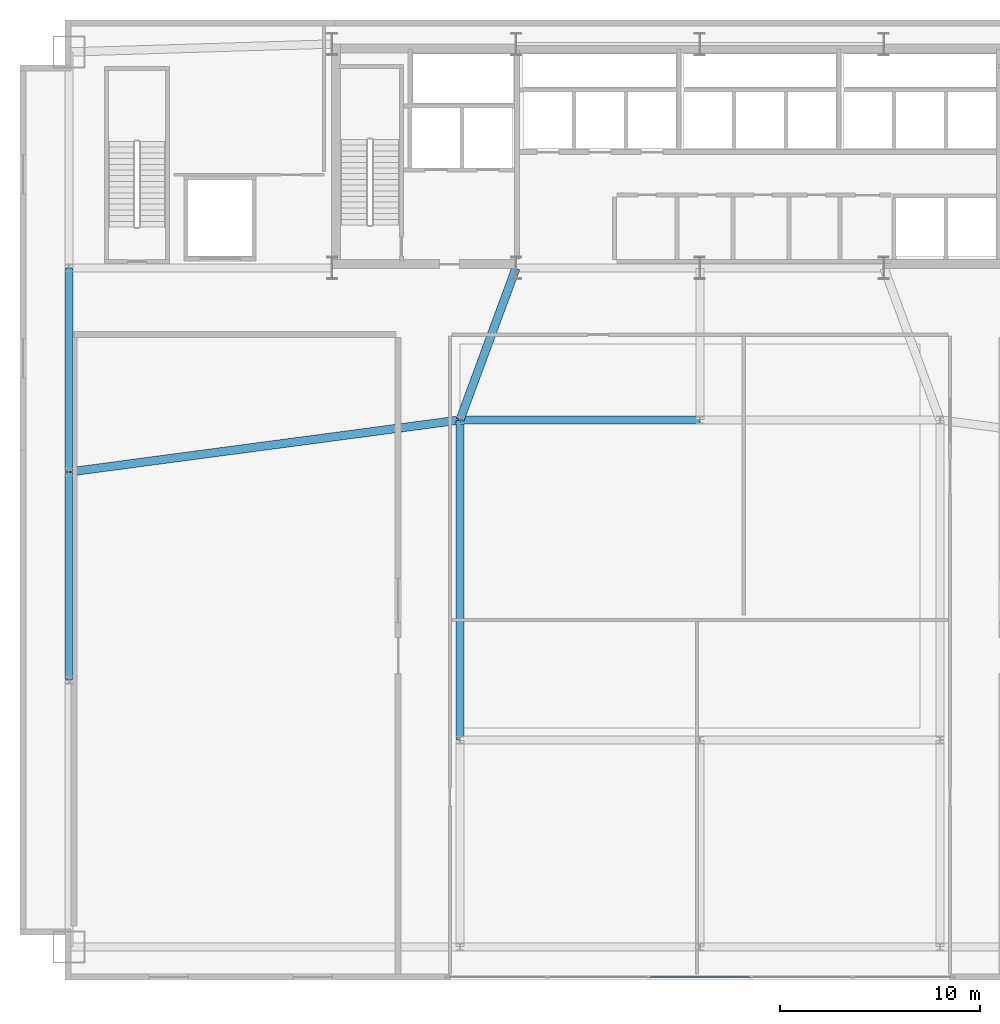
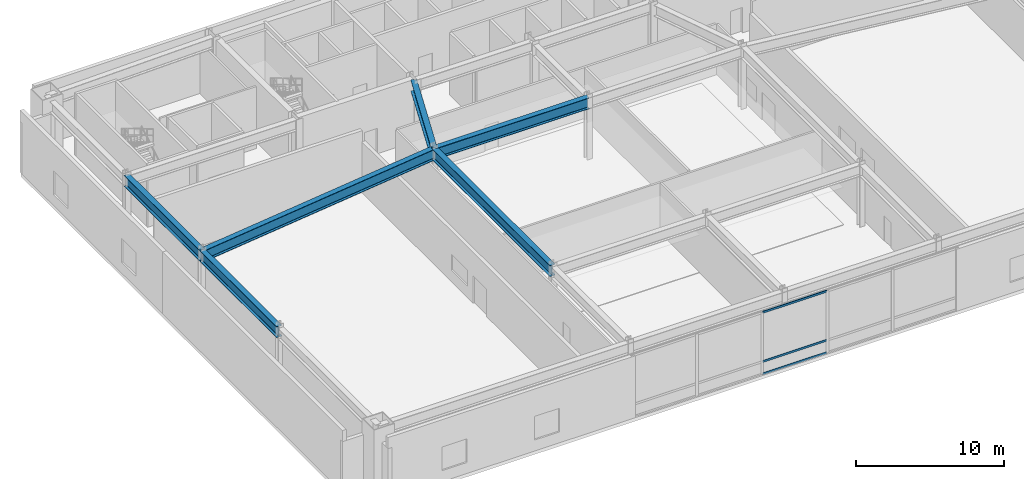
# One storey, part 5 of 12: 6 beams, 3 members, 1 element without a shape of its own.
"""IFC4 building model written with IfcOpenShell, lengths in metres."""

from ifc_helpers import new_model, si_unit, direction, frame, origin, origin_2d, place, context, subcontext, project, spatial, hollow_rectangle, i_section, extrude, source, transform, mapped, material, layer, layer_set, material_profile, profile_set, type_object, type_shapes, element, aggregate, save


model = new_model("IFC4")

# Units and contexts
model_context = context("Model", 3, precision=1e-05, world=origin(), true_north=direction((0.0, 1.0)))
body_context = subcontext(model_context, "Body", "Model", "MODEL_VIEW")
ifc_project = project(units=[si_unit("LENGTHUNIT", "METRE"), si_unit("AREAUNIT", "SQUARE_METRE"), si_unit("VOLUMEUNIT", "CUBIC_METRE"), si_unit("PLANEANGLEUNIT", "RADIAN"), si_unit("MASSUNIT", "GRAM", prefix="KILO")], contexts=[model_context])

# Site, building, storey
site_placement = place(None, origin())
site = spatial("IfcSite", under=ifc_project, at=site_placement, CompositionType="ELEMENT")
building_placement = place(site_placement, origin())
building = spatial("IfcBuilding", under=site, at=building_placement, Name="Varnel Quay Broadcast Tower", CompositionType="ELEMENT")
storey_placement = place(building_placement, frame((0.0, 0.0, 11.39990234375)))
storey = spatial("IfcBuildingStorey", under=building, at=storey_placement, Name="L02", CompositionType="ELEMENT", Elevation=11.39990234375)

# Beams
ifc_material_1 = material(Name="Structural Steel CSA G40.21 350W", Category="steel")
ifc_material_profile_1 = material_profile(ifc_material_1, i_section(OverallWidth=0.41796875, OverallDepth=0.912109375, WebThickness=0.019287109375, FlangeThickness=0.031982421875, FilletRadius=0.02197265625, at=origin_2d()), Name="W920X342")
ifc_profile_set_1 = profile_set([ifc_material_profile_1], Name="Structural Steel CSA G40.21 350W")
beam_type = type_object("IfcBeamType", Name="Girder_W920X342", PredefinedType="BEAM", material=ifc_profile_set_1)
shared_shape_1 = source(origin(), body_context, "Body", "SweptSolid", [
    extrude(i_section(OverallWidth=0.41796875, OverallDepth=0.912109375, WebThickness=0.019287109375, FlangeThickness=0.031982421875, FilletRadius=0.02197265625, at=origin_2d()), origin(), (0.0, 0.0, 1.0), 11.9599609375),
])
beam_1_placement = place(storey_placement, frame((22.02001953125, 28.0, 4.6640625), z_axis=(1.0, 0.0, 0.0), x_axis=(0.0, 1.0, 0.0)))
element("IfcBeam", 1, at=beam_1_placement, inside=storey, type_object=beam_type, Name="L02 Girder G-STC2", PredefinedType="BEAM", context=body_context, shape_type="MappedRepresentation", body=[
    mapped(shared_shape_1, transform((0.0, 0.0, 0.0), x_axis=(1.0, 0.0, 0.0), y_axis=(0.0, 1.0, 0.0), z_axis=(0.0, 0.0, 1.0), scale=1.0)),
])
shared_shape_2 = source(origin(), body_context, "Body", "SweptSolid", [
    extrude(i_section(OverallWidth=0.41796875, OverallDepth=0.912109375, WebThickness=0.019287109375, FlangeThickness=0.031982421875, FilletRadius=0.02197265625, at=origin_2d()), origin(), (0.0, 0.0, 1.0), 10.35986328125),
])
beam_2_placement = place(storey_placement, frame((2.449951171875, 15.02001953125, 4.6640625), z_axis=(0.0, 1.0, 0.0), x_axis=(-1.0, 0.0, 0.0)))
element("IfcBeam", 2, at=beam_2_placement, inside=storey, type_object=beam_type, Name="L02 Girder G-PW2", PredefinedType="BEAM", context=body_context, shape_type="MappedRepresentation", body=[
    mapped(shared_shape_2, transform((0.0, 0.0, 0.0), x_axis=(1.0, 0.0, 0.0), y_axis=(0.0, 1.0, 0.0), z_axis=(0.0, 0.0, 1.0), scale=1.0)),
])
shared_shape_3 = source(origin(), body_context, "Body", "SweptSolid", [
    extrude(i_section(OverallWidth=0.41796875, OverallDepth=0.912109375, WebThickness=0.019287109375, FlangeThickness=0.031982421875, FilletRadius=0.02197265625, at=origin_2d()), origin(), (0.0, 0.0, 1.0), 10.16015625),
])
beam_3_placement = place(storey_placement, frame((2.449951171875, 25.419921875, 4.6640625), z_axis=(0.0, 1.0, 0.0), x_axis=(-1.0, 0.0, 0.0)))
element("IfcBeam", 3, at=beam_3_placement, inside=storey, type_object=beam_type, Name="L02 Girder G-PW3", PredefinedType="BEAM", context=body_context, shape_type="MappedRepresentation", body=[
    mapped(shared_shape_3, transform((0.0, 0.0, 0.0), x_axis=(1.0, 0.0, 0.0), y_axis=(0.0, 1.0, 0.0), z_axis=(0.0, 0.0, 1.0), scale=1.0)),
])
shared_shape_4 = source(origin(), body_context, "Body", "SweptSolid", [
    extrude(i_section(OverallWidth=0.41796875, OverallDepth=0.912109375, WebThickness=0.019287109375, FlangeThickness=0.031982421875, FilletRadius=0.02197265625, at=origin_2d()), origin(), (0.0, 0.0, 1.0), 19.682373046875),
])
beam_4_placement = place(storey_placement, frame((2.4697265625, 25.402587890625, 4.6640625), z_axis=(0.991272261072, 0.131830589885, 0.0), x_axis=(-0.131830589885, 0.991272261072, 0.0)))
element("IfcBeam", 4, at=beam_4_placement, inside=storey, type_object=beam_type, Name="L02 Girder G-STA2", PredefinedType="BEAM", context=body_context, shape_type="MappedRepresentation", body=[
    mapped(shared_shape_4, transform((0.0, 0.0, 0.0), x_axis=(1.0, 0.0, 0.0), y_axis=(0.0, 1.0, 0.0), z_axis=(0.0, 0.0, 1.0), scale=1.0)),
])
shared_shape_5 = source(origin(), body_context, "Body", "SweptSolid", [
    extrude(i_section(OverallWidth=0.41796875, OverallDepth=0.912109375, WebThickness=0.019287109375, FlangeThickness=0.031982421875, FilletRadius=0.02197265625, at=origin_2d()), origin(), (0.0, 0.0, 1.0), 15.9599609375),
])
beam_5_placement = place(storey_placement, frame((22.0, 12.02001953125, 4.6640625), z_axis=(0.0, 1.0, 0.0), x_axis=(-1.0, 0.0, 0.0)))
element("IfcBeam", 5, at=beam_5_placement, inside=storey, type_object=beam_type, Name="L02 Girder G-M2", PredefinedType="BEAM", context=body_context, shape_type="MappedRepresentation", body=[
    mapped(shared_shape_5, transform((0.0, 0.0, 0.0), x_axis=(1.0, 0.0, 0.0), y_axis=(0.0, 1.0, 0.0), z_axis=(0.0, 0.0, 1.0), scale=1.0)),
])
shared_shape_6 = source(origin(), body_context, "Body", "SweptSolid", [
    extrude(i_section(OverallWidth=0.41796875, OverallDepth=0.912109375, WebThickness=0.019287109375, FlangeThickness=0.031982421875, FilletRadius=0.02197265625, at=origin_2d()), origin(), (0.0, 0.0, 1.0), 8.0595703125),
])
type_shapes(beam_type, [shared_shape_1, shared_shape_2, shared_shape_3, shared_shape_4, shared_shape_5, shared_shape_6])
beam_6_placement = place(storey_placement, frame((22.0068359375, 28.018798828125, 4.6640625), z_axis=(0.345726415607, 0.938335358788, 0.0), x_axis=(-0.938335358788, 0.345726415607, 0.0)))
element("IfcBeam", 6, at=beam_6_placement, inside=storey, type_object=beam_type, Name="L02 Girder G-C1", PredefinedType="BEAM", context=body_context, shape_type="MappedRepresentation", body=[
    mapped(shared_shape_6, transform((0.0, 0.0, 0.0), x_axis=(1.0, 0.0, 0.0), y_axis=(0.0, 1.0, 0.0), z_axis=(0.0, 0.0, 1.0), scale=1.0)),
])

# Curtain wall, members
ifc_material_2 = material(Name="Anodised Bronze Aluminium 6063-T6", Category="aluminium")
ifc_layer = layer(ifc_material_2, 0.18994140625, Name="Anodised Bronze Aluminium 6063-T6")
ifc_layer_set = layer_set([ifc_layer], Name="Anodised Bronze Aluminium 6063-T6")
curtain_wall_type = type_object("IfcCurtainWallType", Name="CW_PodiumForum", PredefinedType="NOTDEFINED", material=ifc_layer_set)
curtain_wall_placement = place(storey_placement, origin())
curtain_wall = element("IfcCurtainWall", 7, at=curtain_wall_placement, inside=storey, type_object=curtain_wall_type, Name="L02 Waterfront Forum Curtain Wall", PredefinedType="NOTDEFINED")
ifc_material_profile_2 = material_profile(ifc_material_2, hollow_rectangle(XDim=0.06494140625, YDim=0.1650390625, WallThickness=0.00341796875, at=origin_2d()), Name="ALU65X165X3.5")
ifc_profile_set_2 = profile_set([ifc_material_profile_2], Name="Anodised Bronze Aluminium 6063-T6")
member_type = type_object("IfcMemberType", Name="Tran_CWS-01", PredefinedType="USERDEFINED", material=ifc_profile_set_2)
shared_shape_7 = source(origin(), body_context, "Body", "SweptSolid", [
    extrude(hollow_rectangle(XDim=0.06494140625, YDim=0.1650390625, WallThickness=0.00341796875, at=origin_2d()), origin(), (0.0, 0.0, 1.0), 5.0048828125),
])
type_shapes(member_type, [shared_shape_7])
member_1_placement = place(storey_placement, frame((31.49755859375, 0.14990234375, 0.03271484375), z_axis=(1.0, 0.0, 0.0), x_axis=(0.0, 1.0, 0.0)))
member_1 = element("IfcMember", 8, at=member_1_placement, type_object=member_type, Name="CWS-01 transom 3.1", ObjectType="TRANSOM", PredefinedType="USERDEFINED", context=body_context, shape_type="MappedRepresentation", body=[
    mapped(shared_shape_7, transform((0.0, 0.0, 0.0), x_axis=(1.0, 0.0, 0.0), y_axis=(0.0, 1.0, 0.0), z_axis=(0.0, 0.0, 1.0), scale=1.0)),
])
member_2_placement = place(storey_placement, frame((31.49755859375, 0.14990234375, 1.050048828125), z_axis=(1.0, 0.0, 0.0), x_axis=(0.0, 1.0, 0.0)))
member_2 = element("IfcMember", 9, at=member_2_placement, type_object=member_type, Name="CWS-01 transom 3.2", ObjectType="TRANSOM", PredefinedType="USERDEFINED", context=body_context, shape_type="MappedRepresentation", body=[
    mapped(shared_shape_7, transform((0.0, 0.0, 0.0), x_axis=(1.0, 0.0, 0.0), y_axis=(0.0, 1.0, 0.0), z_axis=(0.0, 0.0, 1.0), scale=1.0)),
])
member_3_placement = place(storey_placement, frame((31.49755859375, 0.14990234375, 5.087646484375), z_axis=(1.0, 0.0, 0.0), x_axis=(0.0, 1.0, 0.0)))
member_3 = element("IfcMember", 10, at=member_3_placement, type_object=member_type, Name="CWS-01 transom 3.3", ObjectType="TRANSOM", PredefinedType="USERDEFINED", context=body_context, shape_type="MappedRepresentation", body=[
    mapped(shared_shape_7, transform((0.0, 0.0, 0.0), x_axis=(1.0, 0.0, 0.0), y_axis=(0.0, 1.0, 0.0), z_axis=(0.0, 0.0, 1.0), scale=1.0)),
])
aggregate(curtain_wall, [member_1, member_2, member_3])

save(model, "model.ifc")
